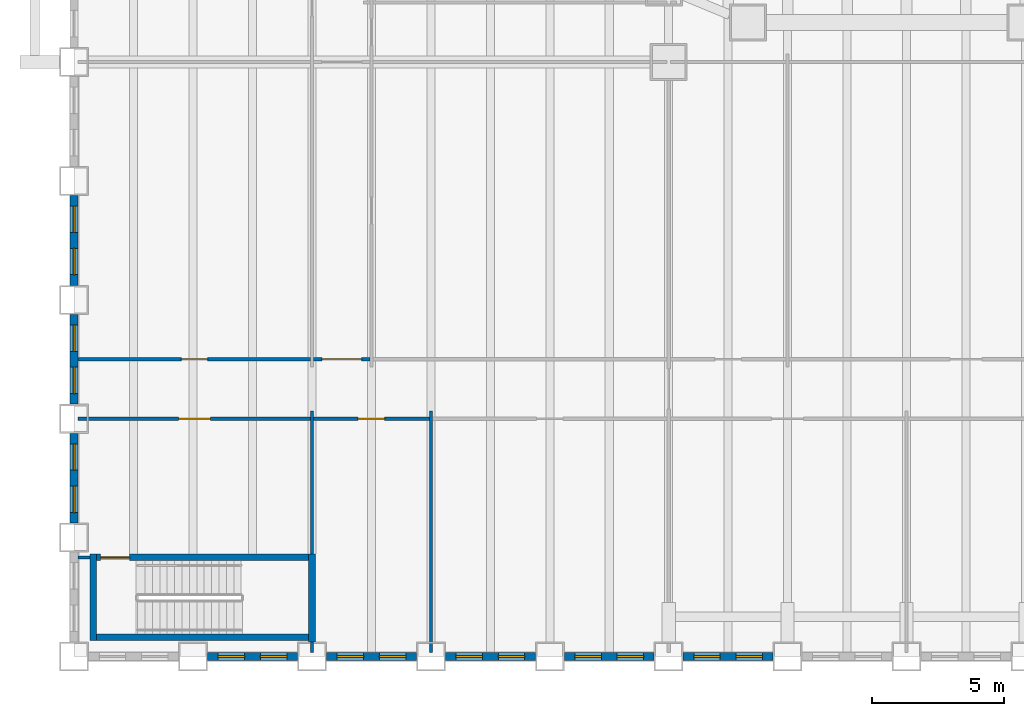
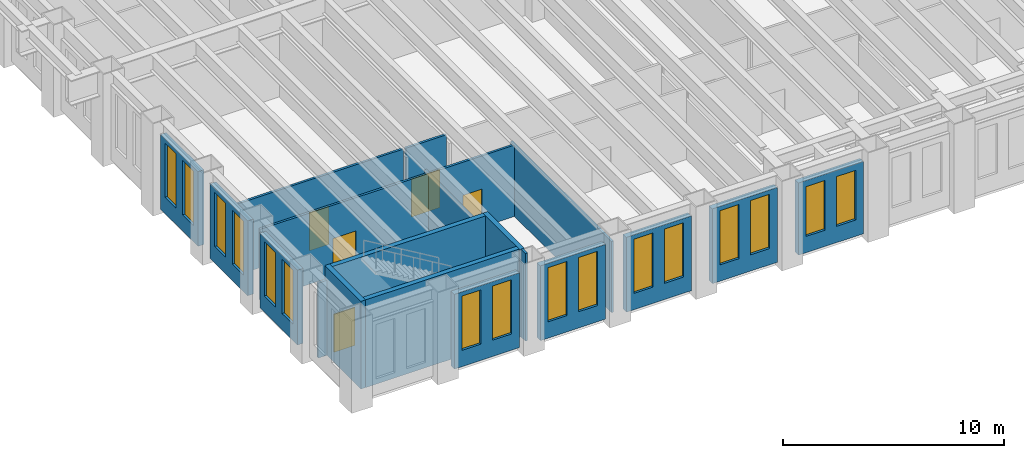
# One storey, part 10 of 21: 20 walls, 16 windows, 5 doors, 21 openings.
"""IFC4 building model written with IfcOpenShell, lengths in metres."""

from ifc_helpers import new_model, si_unit, direction, frame, frame_2d, origin, place, context, subcontext, project, spatial, rectangle, extrude, material, layer, layer_set, type_object, element, fill, save


model = new_model("IFC4")

# Units and contexts
model_context = context("Model", 3, precision=1e-05, world=origin(), true_north=direction((0.0, 1.0)))
body_context = subcontext(model_context, "Body", "Model", "MODEL_VIEW")
ifc_project = project(units=[si_unit("LENGTHUNIT", "METRE"), si_unit("AREAUNIT", "SQUARE_METRE"), si_unit("VOLUMEUNIT", "CUBIC_METRE"), si_unit("PLANEANGLEUNIT", "RADIAN"), si_unit("MASSUNIT", "GRAM", prefix="KILO")], contexts=[model_context])

# Site, building, storey
site_placement = place(None, origin())
site = spatial("IfcSite", under=ifc_project, at=site_placement, CompositionType="ELEMENT")
building_placement = place(site_placement, origin())
building = spatial("IfcBuilding", under=site, at=building_placement, Name="Sennacour Bend Tower", CompositionType="ELEMENT")
storey_placement = place(building_placement, frame((0.0, 0.0, 24.0)))
storey = spatial("IfcBuildingStorey", under=building, at=storey_placement, Name="L04", CompositionType="ELEMENT", Elevation=24.0)

# Walls
ifc_material_1 = material(Name="Plasterboard partition on steel studs", Category="steel")
ifc_layer_1 = layer(ifc_material_1, 0.1201171875, Name="Plasterboard partition on steel studs", Category="steel")
ifc_layer_set_1 = layer_set([ifc_layer_1], Name="Plasterboard partition on steel studs")
wall_type_1 = type_object("IfcWallType", Name="Partition 120", PredefinedType="PARTITIONING", material=ifc_layer_set_1)
wall_1_placement = place(storey_placement, frame((9.0, 0.14990234375, 0.0), z_axis=(0.0, 0.0, 1.0), x_axis=(0.0, 1.0, 0.0)))
element("IfcWall", 1, at=wall_1_placement, inside=storey, type_object=wall_type_1, Name="P-L04-W007a", PredefinedType="PARTITIONING", context=body_context, shape_type="SweptSolid", body=[
    extrude(rectangle(XDim=0.400146484375, YDim=0.1201171875, at=frame_2d((0.2001953125, 0.0))), origin(), (0.0, 0.0, 1.0), 4.85009765625),
])
wall_2_placement = place(storey_placement, frame((9.0, 3.875, 0.0), z_axis=(0.0, 0.0, 1.0), x_axis=(0.0, 1.0, 0.0)))
element("IfcWall", 2, at=wall_2_placement, inside=storey, type_object=wall_type_1, Name="P-L04-W009a", PredefinedType="PARTITIONING", context=body_context, shape_type="SweptSolid", body=[
    extrude(rectangle(XDim=5.425048828125, YDim=0.1201171875, at=frame_2d((2.71240234375, 0.0))), origin(), (0.0, 0.0, 1.0), 3.93798828125),
])
wall_3_placement = place(storey_placement, frame((13.5, 0.14990234375, 0.0), z_axis=(0.0, 0.0, 1.0), x_axis=(0.0, 1.0, 0.0)))
element("IfcWall", 3, at=wall_3_placement, inside=storey, type_object=wall_type_1, Name="P-L04-W014a", PredefinedType="PARTITIONING", context=body_context, shape_type="SweptSolid", body=[
    extrude(rectangle(XDim=9.150146484375, YDim=0.1201171875, at=frame_2d((4.5751953125, 0.0))), origin(), (0.0, 0.0, 1.0), 3.93798828125),
])
wall_4_placement = place(storey_placement, frame((0.14990234375, 3.75, 0.0), z_axis=(0.0, 0.0, 1.0), x_axis=(1.0, 0.0, 0.0)))
element("IfcWall", 4, at=wall_4_placement, inside=storey, type_object=wall_type_1, Name="P-L04-W049a", PredefinedType="PARTITIONING", context=body_context, shape_type="SweptSolid", body=[
    extrude(rectangle(XDim=0.4501953125, YDim=0.1201171875, at=frame_2d((0.22509765625, 0.0))), origin(), (0.0, 0.0, 1.0), 4.14404296875),
])

# Wall, opening, door
wall_5_placement = place(storey_placement, frame((9.06005859375, 9.0, 0.0), z_axis=(0.0, 0.0, 1.0), x_axis=(1.0, 0.0, 0.0)))
wall_5 = element("IfcWall", 5, at=wall_5_placement, inside=storey, type_object=wall_type_1, Name="P-L04-W055ab", PredefinedType="PARTITIONING", context=body_context, shape_type="SweptSolid", body=[
    extrude(rectangle(XDim=4.3798828125, YDim=0.1201171875, at=frame_2d((2.18994140625, 0.0))), origin(), (0.0, 0.0, 1.0), 3.93798828125),
])
opening_1_placement = place(wall_5_placement, frame((1.68994140625, 0.0, 0.0)))
opening_1 = element("IfcOpeningElement", 6, at=opening_1_placement, cuts=wall_5, Name="Opening OD2", PredefinedType="OPENING", context=body_context, shape_type="SweptSolid", body=[
    extrude(rectangle(XDim=1.0, YDim=2.10009765625, at=frame_2d((0.5, 1.050048828125))), frame((0.0, 0.070068359375, 0.0), z_axis=(0.0, -1.0, 0.0), x_axis=(1.0, 0.0, 0.0)), (0.0, 0.0, 1.0), 0.14013671875),
])
ifc_material_2 = material(Name="Timber", Category="wood")
door_type_1 = type_object("IfcDoorType", Name="DR-OFFICE-1000", OperationType="NOTDEFINED", PredefinedType="DOOR", material=ifc_material_2)
door_1_placement = place(opening_1_placement, origin())
door_1 = element("IfcDoor", 7, at=door_1_placement, inside=storey, type_object=door_type_1, Name="Door", OperationType="SINGLE_SWING_LEFT", OverallHeight=2.10009765625, OverallWidth=1.0, PredefinedType="DOOR", context=body_context, shape_type="SweptSolid", body=[
    extrude(rectangle(XDim=1.0, YDim=2.10009765625, at=frame_2d((0.5, 1.050048828125))), frame((0.0, 0.02490234375, 0.0), z_axis=(0.0, -1.0, 0.0), x_axis=(1.0, 0.0, 0.0)), (0.0, 0.0, 1.0), 0.050048828125),
])
fill(opening_1, door_1)

wall_6_placement = place(storey_placement, frame((0.14990234375, 11.25, 0.0), z_axis=(0.0, 0.0, 1.0), x_axis=(1.0, 0.0, 0.0)))
wall_6 = element("IfcWall", 8, at=wall_6_placement, inside=storey, type_object=wall_type_1, Name="P-L04-W057aa", PredefinedType="PARTITIONING", context=body_context, shape_type="SweptSolid", body=[
    extrude(rectangle(XDim=8.7900390625, YDim=0.1201171875, at=frame_2d((4.39501953125, 0.0))), origin(), (0.0, 0.0, 1.0), 3.93798828125),
])
opening_2_placement = place(wall_6_placement, frame((3.905029296875, 0.0, 0.0)))
opening_2 = element("IfcOpeningElement", 9, at=opening_2_placement, cuts=wall_6, Name="Opening OD2", PredefinedType="OPENING", context=body_context, shape_type="SweptSolid", body=[
    extrude(rectangle(XDim=1.0, YDim=2.10009765625, at=frame_2d((0.5, 1.050048828125))), frame((0.0, 0.070068359375, 0.0), z_axis=(0.0, -1.0, 0.0), x_axis=(1.0, 0.0, 0.0)), (0.0, 0.0, 1.0), 0.14013671875),
])
door_2_placement = place(opening_2_placement, origin())
door_2 = element("IfcDoor", 10, at=door_2_placement, inside=storey, type_object=door_type_1, Name="Door", OperationType="SINGLE_SWING_RIGHT", OverallHeight=2.10009765625, OverallWidth=1.0, PredefinedType="DOOR", context=body_context, shape_type="SweptSolid", body=[
    extrude(rectangle(XDim=1.0, YDim=2.10009765625, at=frame_2d((0.5, 1.050048828125))), frame((0.0, 0.02490234375, 0.0), z_axis=(0.0, -1.0, 0.0), x_axis=(1.0, 0.0, 0.0)), (0.0, 0.0, 1.0), 0.050048828125),
])
fill(opening_2, door_2)

ifc_layer_2 = layer(ifc_material_1, 0.1201171875, Name="Plasterboard partition on steel studs", Category="steel")
ifc_layer_set_2 = layer_set([ifc_layer_2], Name="Plasterboard partition on steel studs")
wall_type_2 = type_object("IfcWallType", Name="Partition 120 EI 30", PredefinedType="PARTITIONING", material=ifc_layer_set_2)
wall_7_placement = place(storey_placement, frame((0.14990234375, 9.0, 0.0), z_axis=(0.0, 0.0, 1.0), x_axis=(1.0, 0.0, 0.0)))
wall_7 = element("IfcWall", 11, at=wall_7_placement, inside=storey, type_object=wall_type_2, Name="P-L04-W055aa", PredefinedType="PARTITIONING", context=body_context, shape_type="SweptSolid", body=[
    extrude(rectangle(XDim=8.7900390625, YDim=0.1201171875, at=frame_2d((4.39501953125, 0.0))), origin(), (0.0, 0.0, 1.0), 3.93798828125),
])
opening_3_placement = place(wall_7_placement, frame((3.80517578125, 0.0, 0.0)))
opening_3 = element("IfcOpeningElement", 12, at=opening_3_placement, cuts=wall_7, Name="Opening KD2", PredefinedType="OPENING", context=body_context, shape_type="SweptSolid", body=[
    extrude(rectangle(XDim=1.199951171875, YDim=2.10009765625, at=frame_2d((0.60009765625, 1.050048828125))), frame((0.0, 0.070068359375, 0.0), z_axis=(0.0, -1.0, 0.0), x_axis=(1.0, 0.0, 0.0)), (0.0, 0.0, 1.0), 0.14013671875),
])
ifc_material_3 = material(Name="Painted steel", Category="steel")
door_type_2 = type_object("IfcDoorType", Name="DR-CORRIDOR-1200", OperationType="NOTDEFINED", PredefinedType="DOOR", material=ifc_material_3)
door_3_placement = place(opening_3_placement, origin())
door_3 = element("IfcDoor", 13, at=door_3_placement, inside=storey, type_object=door_type_2, Name="Door", OperationType="SINGLE_SWING_LEFT", OverallHeight=2.10009765625, OverallWidth=1.199951171875, PredefinedType="DOOR", context=body_context, shape_type="SweptSolid", body=[
    extrude(rectangle(XDim=1.199951171875, YDim=2.10009765625, at=frame_2d((0.60009765625, 1.050048828125))), frame((0.0, 0.02490234375, 0.0), z_axis=(0.0, -1.0, 0.0), x_axis=(1.0, 0.0, 0.0)), (0.0, 0.0, 1.0), 0.050048828125),
])
fill(opening_3, door_3)

wall_8_placement = place(storey_placement, frame((9.06005859375, 11.25, 0.0), z_axis=(0.0, 0.0, 1.0), x_axis=(1.0, 0.0, 0.0)))
wall_8 = element("IfcWall", 14, at=wall_8_placement, inside=storey, type_object=wall_type_2, Name="P-L04-W057ab", PredefinedType="PARTITIONING", context=body_context, shape_type="SweptSolid", body=[
    extrude(rectangle(XDim=2.1298828125, YDim=0.1201171875, at=frame_2d((1.06494140625, 0.0))), origin(), (0.0, 0.0, 1.0), 3.93798828125),
])
opening_4_placement = place(wall_8_placement, frame((0.31494140625, 0.0, 0.0)))
opening_4 = element("IfcOpeningElement", 15, at=opening_4_placement, cuts=wall_8, Name="Opening KD", PredefinedType="OPENING", context=body_context, shape_type="SweptSolid", body=[
    extrude(rectangle(XDim=1.5, YDim=2.10009765625, at=frame_2d((0.75, 1.050048828125))), frame((0.0, 0.070068359375, 0.0), z_axis=(0.0, -1.0, 0.0), x_axis=(1.0, 0.0, 0.0)), (0.0, 0.0, 1.0), 0.14013671875),
])
door_type_3 = type_object("IfcDoorType", Name="DR-CORRIDOR-1500", OperationType="NOTDEFINED", PredefinedType="DOOR", material=ifc_material_3)
door_4_placement = place(opening_4_placement, origin())
door_4 = element("IfcDoor", 16, at=door_4_placement, inside=storey, type_object=door_type_3, Name="Door", OperationType="SINGLE_SWING_LEFT", OverallHeight=2.10009765625, OverallWidth=1.5, PredefinedType="DOOR", context=body_context, shape_type="SweptSolid", body=[
    extrude(rectangle(XDim=1.5, YDim=2.10009765625, at=frame_2d((0.75, 1.050048828125))), frame((0.0, 0.02490234375, 0.0), z_axis=(0.0, -1.0, 0.0), x_axis=(1.0, 0.0, 0.0)), (0.0, 0.0, 1.0), 0.050048828125),
])
fill(opening_4, door_4)

# Wall, openings, windows
ifc_material_4 = material(Name="Warm limestone cladding", Category="masonry")
ifc_layer_3 = layer(ifc_material_4, 0.050048828125, Name="Warm limestone cladding", Category="masonry")
ifc_material_5 = material(Name="Precast concrete C40/50", Category="concrete")
ifc_layer_4 = layer(ifc_material_5, 0.25, Name="Precast concrete C40/50", Category="concrete")
ifc_layer_set_3 = layer_set([ifc_layer_3, ifc_layer_4], Name="Precast concrete C40/50 with limestone cladding")
wall_type_3 = type_object("IfcWallType", Name="STONE-CLAD PRECAST SPANDREL 300", PredefinedType="STANDARD", material=ifc_layer_set_3)
wall_9_placement = place(storey_placement, frame((0.0, 17.449951171875, 0.0), z_axis=(0.0, 0.0, 1.0), x_axis=(0.0, -1.0, 0.0)))
wall_9 = element("IfcWall", 17, at=wall_9_placement, inside=storey, type_object=wall_type_3, Name="Stone spandrel and pier wall L04 02.04", PredefinedType="STANDARD", context=body_context, shape_type="SweptSolid", body=[
    extrude(rectangle(XDim=3.39990234375, YDim=0.300048828125, at=frame_2d((1.699951171875, 0.0))), origin(), (0.0, 0.0, 1.0), 4.135986328125),
])
opening_5_placement = place(wall_9_placement, frame((0.39990234375, 0.0, 0.89990234375)))
opening_5 = element("IfcOpeningElement", 18, at=opening_5_placement, cuts=wall_9, Name="Opening W7", PredefinedType="OPENING", context=body_context, shape_type="SweptSolid", body=[
    extrude(rectangle(XDim=1.0, YDim=3.0, at=frame_2d((0.5, 1.5))), frame((0.0, 0.16015625, 0.0), z_axis=(0.0, -1.0, 0.0), x_axis=(1.0, 0.0, 0.0)), (0.0, 0.0, 1.0), 0.320068359375),
])
opening_6_placement = place(wall_9_placement, frame((2.0, 0.0, 0.89990234375)))
opening_6 = element("IfcOpeningElement", 19, at=opening_6_placement, cuts=wall_9, Name="Opening W7", PredefinedType="OPENING", context=body_context, shape_type="SweptSolid", body=[
    extrude(rectangle(XDim=1.0, YDim=3.0, at=frame_2d((0.5, 1.5))), frame((0.0, 0.16015625, 0.0), z_axis=(0.0, -1.0, 0.0), x_axis=(1.0, 0.0, 0.0)), (0.0, 0.0, 1.0), 0.320068359375),
])
ifc_material_6 = material(Name="Clear low-emissivity glass", Category="glass")
window_type_1 = type_object("IfcWindowType", Name="WIN-RIBBON-1000x3000", PartitioningType="SINGLE_PANEL", PredefinedType="WINDOW", material=ifc_material_6)
window_1_placement = place(opening_5_placement, origin())
window_1 = element("IfcWindow", 20, at=window_1_placement, inside=storey, type_object=window_type_1, Name="Ribbon window L04 02.04.0", OverallHeight=3.0, OverallWidth=1.0, PartitioningType="SINGLE_PANEL", PredefinedType="WINDOW", context=body_context, shape_type="SweptSolid", body=[
    extrude(rectangle(XDim=1.0, YDim=3.0, at=frame_2d((0.5, 1.5))), frame((0.0, 0.030029296875, 0.0), z_axis=(0.0, -1.0, 0.0), x_axis=(1.0, 0.0, 0.0)), (0.0, 0.0, 1.0), 0.06005859375),
])
fill(opening_5, window_1)
window_2_placement = place(opening_6_placement, origin())
window_2 = element("IfcWindow", 21, at=window_2_placement, inside=storey, type_object=window_type_1, Name="Ribbon window L04 02.04.1", OverallHeight=3.0, OverallWidth=1.0, PartitioningType="SINGLE_PANEL", PredefinedType="WINDOW", context=body_context, shape_type="SweptSolid", body=[
    extrude(rectangle(XDim=1.0, YDim=3.0, at=frame_2d((0.5, 1.5))), frame((0.0, 0.030029296875, 0.0), z_axis=(0.0, -1.0, 0.0), x_axis=(1.0, 0.0, 0.0)), (0.0, 0.0, 1.0), 0.06005859375),
])
fill(opening_6, window_2)

wall_10_placement = place(storey_placement, frame((0.0, 12.949951171875, 0.0), z_axis=(0.0, 0.0, 1.0), x_axis=(0.0, -1.0, 0.0)))
wall_10 = element("IfcWall", 22, at=wall_10_placement, inside=storey, type_object=wall_type_3, Name="Stone spandrel and pier wall L04 02.05", PredefinedType="STANDARD", context=body_context, shape_type="SweptSolid", body=[
    extrude(rectangle(XDim=3.39990234375, YDim=0.300048828125, at=frame_2d((1.699951171875, 0.0))), origin(), (0.0, 0.0, 1.0), 4.135986328125),
])
opening_7_placement = place(wall_10_placement, frame((0.39990234375, 0.0, 0.89990234375)))
opening_7 = element("IfcOpeningElement", 23, at=opening_7_placement, cuts=wall_10, Name="Opening W7", PredefinedType="OPENING", context=body_context, shape_type="SweptSolid", body=[
    extrude(rectangle(XDim=1.0, YDim=3.0, at=frame_2d((0.5, 1.5))), frame((0.0, 0.16015625, 0.0), z_axis=(0.0, -1.0, 0.0), x_axis=(1.0, 0.0, 0.0)), (0.0, 0.0, 1.0), 0.320068359375),
])
opening_8_placement = place(wall_10_placement, frame((2.0, 0.0, 0.89990234375)))
opening_8 = element("IfcOpeningElement", 24, at=opening_8_placement, cuts=wall_10, Name="Opening W7", PredefinedType="OPENING", context=body_context, shape_type="SweptSolid", body=[
    extrude(rectangle(XDim=1.0, YDim=3.0, at=frame_2d((0.5, 1.5))), frame((0.0, 0.16015625, 0.0), z_axis=(0.0, -1.0, 0.0), x_axis=(1.0, 0.0, 0.0)), (0.0, 0.0, 1.0), 0.320068359375),
])
window_3_placement = place(opening_7_placement, origin())
window_3 = element("IfcWindow", 25, at=window_3_placement, inside=storey, type_object=window_type_1, Name="Ribbon window L04 02.05.0", OverallHeight=3.0, OverallWidth=1.0, PartitioningType="SINGLE_PANEL", PredefinedType="WINDOW", context=body_context, shape_type="SweptSolid", body=[
    extrude(rectangle(XDim=1.0, YDim=3.0, at=frame_2d((0.5, 1.5))), frame((0.0, 0.030029296875, 0.0), z_axis=(0.0, -1.0, 0.0), x_axis=(1.0, 0.0, 0.0)), (0.0, 0.0, 1.0), 0.06005859375),
])
fill(opening_7, window_3)
window_4_placement = place(opening_8_placement, origin())
window_4 = element("IfcWindow", 26, at=window_4_placement, inside=storey, type_object=window_type_1, Name="Ribbon window L04 02.05.1", OverallHeight=3.0, OverallWidth=1.0, PartitioningType="SINGLE_PANEL", PredefinedType="WINDOW", context=body_context, shape_type="SweptSolid", body=[
    extrude(rectangle(XDim=1.0, YDim=3.0, at=frame_2d((0.5, 1.5))), frame((0.0, 0.030029296875, 0.0), z_axis=(0.0, -1.0, 0.0), x_axis=(1.0, 0.0, 0.0)), (0.0, 0.0, 1.0), 0.06005859375),
])
fill(opening_8, window_4)

wall_11_placement = place(storey_placement, frame((0.0, 8.449951171875, 0.0), z_axis=(0.0, 0.0, 1.0), x_axis=(0.0, -1.0, 0.0)))
wall_11 = element("IfcWall", 27, at=wall_11_placement, inside=storey, type_object=wall_type_3, Name="Stone spandrel and pier wall L04 02.06", PredefinedType="STANDARD", context=body_context, shape_type="SweptSolid", body=[
    extrude(rectangle(XDim=3.39990234375, YDim=0.300048828125, at=frame_2d((1.699951171875, 0.0))), origin(), (0.0, 0.0, 1.0), 4.135986328125),
])
opening_9_placement = place(wall_11_placement, frame((0.39990234375, 0.0, 0.89990234375)))
opening_9 = element("IfcOpeningElement", 28, at=opening_9_placement, cuts=wall_11, Name="Opening W7", PredefinedType="OPENING", context=body_context, shape_type="SweptSolid", body=[
    extrude(rectangle(XDim=1.0, YDim=3.0, at=frame_2d((0.5, 1.5))), frame((0.0, 0.16015625, 0.0), z_axis=(0.0, -1.0, 0.0), x_axis=(1.0, 0.0, 0.0)), (0.0, 0.0, 1.0), 0.320068359375),
])
opening_10_placement = place(wall_11_placement, frame((2.0, 0.0, 0.89990234375)))
opening_10 = element("IfcOpeningElement", 29, at=opening_10_placement, cuts=wall_11, Name="Opening W7", PredefinedType="OPENING", context=body_context, shape_type="SweptSolid", body=[
    extrude(rectangle(XDim=1.0, YDim=3.0, at=frame_2d((0.5, 1.5))), frame((0.0, 0.16015625, 0.0), z_axis=(0.0, -1.0, 0.0), x_axis=(1.0, 0.0, 0.0)), (0.0, 0.0, 1.0), 0.320068359375),
])
window_5_placement = place(opening_9_placement, origin())
window_5 = element("IfcWindow", 30, at=window_5_placement, inside=storey, type_object=window_type_1, Name="Ribbon window L04 02.06.0", OverallHeight=3.0, OverallWidth=1.0, PartitioningType="SINGLE_PANEL", PredefinedType="WINDOW", context=body_context, shape_type="SweptSolid", body=[
    extrude(rectangle(XDim=1.0, YDim=3.0, at=frame_2d((0.5, 1.5))), frame((0.0, 0.030029296875, 0.0), z_axis=(0.0, -1.0, 0.0), x_axis=(1.0, 0.0, 0.0)), (0.0, 0.0, 1.0), 0.06005859375),
])
fill(opening_9, window_5)
window_6_placement = place(opening_10_placement, origin())
window_6 = element("IfcWindow", 31, at=window_6_placement, inside=storey, type_object=window_type_1, Name="Ribbon window L04 02.06.1", OverallHeight=3.0, OverallWidth=1.0, PartitioningType="SINGLE_PANEL", PredefinedType="WINDOW", context=body_context, shape_type="SweptSolid", body=[
    extrude(rectangle(XDim=1.0, YDim=3.0, at=frame_2d((0.5, 1.5))), frame((0.0, 0.030029296875, 0.0), z_axis=(0.0, -1.0, 0.0), x_axis=(1.0, 0.0, 0.0)), (0.0, 0.0, 1.0), 0.06005859375),
])
fill(opening_10, window_6)

wall_12_placement = place(storey_placement, frame((5.050048828125, 0.0, 0.0), z_axis=(0.0, 0.0, 1.0), x_axis=(1.0, 0.0, 0.0)))
wall_12 = element("IfcWall", 32, at=wall_12_placement, inside=storey, type_object=wall_type_3, Name="Stone spandrel and pier wall L04 03.01", PredefinedType="STANDARD", context=body_context, shape_type="SweptSolid", body=[
    extrude(rectangle(XDim=3.39990234375, YDim=0.300048828125, at=frame_2d((1.699951171875, 0.0))), origin(), (0.0, 0.0, 1.0), 4.135986328125),
])
opening_11_placement = place(wall_12_placement, frame((0.39990234375, 0.0, 0.89990234375)))
opening_11 = element("IfcOpeningElement", 33, at=opening_11_placement, cuts=wall_12, Name="Opening W7", PredefinedType="OPENING", context=body_context, shape_type="SweptSolid", body=[
    extrude(rectangle(XDim=1.0, YDim=3.0, at=frame_2d((0.5, 1.5))), frame((0.0, 0.16015625, 0.0), z_axis=(0.0, -1.0, 0.0), x_axis=(1.0, 0.0, 0.0)), (0.0, 0.0, 1.0), 0.320068359375),
])
opening_12_placement = place(wall_12_placement, frame((2.0, 0.0, 0.89990234375)))
opening_12 = element("IfcOpeningElement", 34, at=opening_12_placement, cuts=wall_12, Name="Opening W7", PredefinedType="OPENING", context=body_context, shape_type="SweptSolid", body=[
    extrude(rectangle(XDim=1.0, YDim=3.0, at=frame_2d((0.5, 1.5))), frame((0.0, 0.16015625, 0.0), z_axis=(0.0, -1.0, 0.0), x_axis=(1.0, 0.0, 0.0)), (0.0, 0.0, 1.0), 0.320068359375),
])
window_7_placement = place(opening_11_placement, origin())
window_7 = element("IfcWindow", 35, at=window_7_placement, inside=storey, type_object=window_type_1, Name="Ribbon window L04 03.01.0", OverallHeight=3.0, OverallWidth=1.0, PartitioningType="SINGLE_PANEL", PredefinedType="WINDOW", context=body_context, shape_type="SweptSolid", body=[
    extrude(rectangle(XDim=1.0, YDim=3.0, at=frame_2d((0.5, 1.5))), frame((0.0, 0.030029296875, 0.0), z_axis=(0.0, -1.0, 0.0), x_axis=(1.0, 0.0, 0.0)), (0.0, 0.0, 1.0), 0.06005859375),
])
fill(opening_11, window_7)
window_8_placement = place(opening_12_placement, origin())
window_8 = element("IfcWindow", 36, at=window_8_placement, inside=storey, type_object=window_type_1, Name="Ribbon window L04 03.01.1", OverallHeight=3.0, OverallWidth=1.0, PartitioningType="SINGLE_PANEL", PredefinedType="WINDOW", context=body_context, shape_type="SweptSolid", body=[
    extrude(rectangle(XDim=1.0, YDim=3.0, at=frame_2d((0.5, 1.5))), frame((0.0, 0.030029296875, 0.0), z_axis=(0.0, -1.0, 0.0), x_axis=(1.0, 0.0, 0.0)), (0.0, 0.0, 1.0), 0.06005859375),
])
fill(opening_12, window_8)

wall_13_placement = place(storey_placement, frame((9.550048828125, 0.0, 0.0), z_axis=(0.0, 0.0, 1.0), x_axis=(1.0, 0.0, 0.0)))
wall_13 = element("IfcWall", 37, at=wall_13_placement, inside=storey, type_object=wall_type_3, Name="Stone spandrel and pier wall L04 03.02", PredefinedType="STANDARD", context=body_context, shape_type="SweptSolid", body=[
    extrude(rectangle(XDim=3.39990234375, YDim=0.300048828125, at=frame_2d((1.699951171875, 0.0))), origin(), (0.0, 0.0, 1.0), 4.135986328125),
])
opening_13_placement = place(wall_13_placement, frame((0.39990234375, 0.0, 0.89990234375)))
opening_13 = element("IfcOpeningElement", 38, at=opening_13_placement, cuts=wall_13, Name="Opening W7", PredefinedType="OPENING", context=body_context, shape_type="SweptSolid", body=[
    extrude(rectangle(XDim=1.0, YDim=3.0, at=frame_2d((0.5, 1.5))), frame((0.0, 0.16015625, 0.0), z_axis=(0.0, -1.0, 0.0), x_axis=(1.0, 0.0, 0.0)), (0.0, 0.0, 1.0), 0.320068359375),
])
opening_14_placement = place(wall_13_placement, frame((2.0, 0.0, 0.89990234375)))
opening_14 = element("IfcOpeningElement", 39, at=opening_14_placement, cuts=wall_13, Name="Opening W7", PredefinedType="OPENING", context=body_context, shape_type="SweptSolid", body=[
    extrude(rectangle(XDim=1.0, YDim=3.0, at=frame_2d((0.5, 1.5))), frame((0.0, 0.16015625, 0.0), z_axis=(0.0, -1.0, 0.0), x_axis=(1.0, 0.0, 0.0)), (0.0, 0.0, 1.0), 0.320068359375),
])
window_9_placement = place(opening_13_placement, origin())
window_9 = element("IfcWindow", 40, at=window_9_placement, inside=storey, type_object=window_type_1, Name="Ribbon window L04 03.02.0", OverallHeight=3.0, OverallWidth=1.0, PartitioningType="SINGLE_PANEL", PredefinedType="WINDOW", context=body_context, shape_type="SweptSolid", body=[
    extrude(rectangle(XDim=1.0, YDim=3.0, at=frame_2d((0.5, 1.5))), frame((0.0, 0.030029296875, 0.0), z_axis=(0.0, -1.0, 0.0), x_axis=(1.0, 0.0, 0.0)), (0.0, 0.0, 1.0), 0.06005859375),
])
fill(opening_13, window_9)
window_10_placement = place(opening_14_placement, origin())
window_10 = element("IfcWindow", 41, at=window_10_placement, inside=storey, type_object=window_type_1, Name="Ribbon window L04 03.02.1", OverallHeight=3.0, OverallWidth=1.0, PartitioningType="SINGLE_PANEL", PredefinedType="WINDOW", context=body_context, shape_type="SweptSolid", body=[
    extrude(rectangle(XDim=1.0, YDim=3.0, at=frame_2d((0.5, 1.5))), frame((0.0, 0.030029296875, 0.0), z_axis=(0.0, -1.0, 0.0), x_axis=(1.0, 0.0, 0.0)), (0.0, 0.0, 1.0), 0.06005859375),
])
fill(opening_14, window_10)

wall_14_placement = place(storey_placement, frame((14.050048828125, 0.0, 0.0), z_axis=(0.0, 0.0, 1.0), x_axis=(1.0, 0.0, 0.0)))
wall_14 = element("IfcWall", 42, at=wall_14_placement, inside=storey, type_object=wall_type_3, Name="Stone spandrel and pier wall L04 03.03", PredefinedType="STANDARD", context=body_context, shape_type="SweptSolid", body=[
    extrude(rectangle(XDim=3.39990234375, YDim=0.300048828125, at=frame_2d((1.699951171875, 0.0))), origin(), (0.0, 0.0, 1.0), 4.135986328125),
])
opening_15_placement = place(wall_14_placement, frame((0.39990234375, 0.0, 0.89990234375)))
opening_15 = element("IfcOpeningElement", 43, at=opening_15_placement, cuts=wall_14, Name="Opening W7", PredefinedType="OPENING", context=body_context, shape_type="SweptSolid", body=[
    extrude(rectangle(XDim=1.0, YDim=3.0, at=frame_2d((0.5, 1.5))), frame((0.0, 0.16015625, 0.0), z_axis=(0.0, -1.0, 0.0), x_axis=(1.0, 0.0, 0.0)), (0.0, 0.0, 1.0), 0.320068359375),
])
opening_16_placement = place(wall_14_placement, frame((2.0, 0.0, 0.89990234375)))
opening_16 = element("IfcOpeningElement", 44, at=opening_16_placement, cuts=wall_14, Name="Opening W7", PredefinedType="OPENING", context=body_context, shape_type="SweptSolid", body=[
    extrude(rectangle(XDim=1.0, YDim=3.0, at=frame_2d((0.5, 1.5))), frame((0.0, 0.16015625, 0.0), z_axis=(0.0, -1.0, 0.0), x_axis=(1.0, 0.0, 0.0)), (0.0, 0.0, 1.0), 0.320068359375),
])
window_11_placement = place(opening_15_placement, origin())
window_11 = element("IfcWindow", 45, at=window_11_placement, inside=storey, type_object=window_type_1, Name="Ribbon window L04 03.03.0", OverallHeight=3.0, OverallWidth=1.0, PartitioningType="SINGLE_PANEL", PredefinedType="WINDOW", context=body_context, shape_type="SweptSolid", body=[
    extrude(rectangle(XDim=1.0, YDim=3.0, at=frame_2d((0.5, 1.5))), frame((0.0, 0.030029296875, 0.0), z_axis=(0.0, -1.0, 0.0), x_axis=(1.0, 0.0, 0.0)), (0.0, 0.0, 1.0), 0.06005859375),
])
fill(opening_15, window_11)
window_12_placement = place(opening_16_placement, origin())
window_12 = element("IfcWindow", 46, at=window_12_placement, inside=storey, type_object=window_type_1, Name="Ribbon window L04 03.03.1", OverallHeight=3.0, OverallWidth=1.0, PartitioningType="SINGLE_PANEL", PredefinedType="WINDOW", context=body_context, shape_type="SweptSolid", body=[
    extrude(rectangle(XDim=1.0, YDim=3.0, at=frame_2d((0.5, 1.5))), frame((0.0, 0.030029296875, 0.0), z_axis=(0.0, -1.0, 0.0), x_axis=(1.0, 0.0, 0.0)), (0.0, 0.0, 1.0), 0.06005859375),
])
fill(opening_16, window_12)

wall_15_placement = place(storey_placement, frame((18.550048828125, 0.0, 0.0), z_axis=(0.0, 0.0, 1.0), x_axis=(1.0, 0.0, 0.0)))
wall_15 = element("IfcWall", 47, at=wall_15_placement, inside=storey, type_object=wall_type_3, Name="Stone spandrel and pier wall L04 03.04", PredefinedType="STANDARD", context=body_context, shape_type="SweptSolid", body=[
    extrude(rectangle(XDim=3.39990234375, YDim=0.300048828125, at=frame_2d((1.699951171875, 0.0))), origin(), (0.0, 0.0, 1.0), 4.135986328125),
])
opening_17_placement = place(wall_15_placement, frame((0.39990234375, 0.0, 0.89990234375)))
opening_17 = element("IfcOpeningElement", 48, at=opening_17_placement, cuts=wall_15, Name="Opening W7", PredefinedType="OPENING", context=body_context, shape_type="SweptSolid", body=[
    extrude(rectangle(XDim=1.0, YDim=3.0, at=frame_2d((0.5, 1.5))), frame((0.0, 0.16015625, 0.0), z_axis=(0.0, -1.0, 0.0), x_axis=(1.0, 0.0, 0.0)), (0.0, 0.0, 1.0), 0.320068359375),
])
opening_18_placement = place(wall_15_placement, frame((2.0, 0.0, 0.89990234375)))
opening_18 = element("IfcOpeningElement", 49, at=opening_18_placement, cuts=wall_15, Name="Opening W7", PredefinedType="OPENING", context=body_context, shape_type="SweptSolid", body=[
    extrude(rectangle(XDim=1.0, YDim=3.0, at=frame_2d((0.5, 1.5))), frame((0.0, 0.16015625, 0.0), z_axis=(0.0, -1.0, 0.0), x_axis=(1.0, 0.0, 0.0)), (0.0, 0.0, 1.0), 0.320068359375),
])
window_13_placement = place(opening_17_placement, origin())
window_13 = element("IfcWindow", 50, at=window_13_placement, inside=storey, type_object=window_type_1, Name="Ribbon window L04 03.04.0", OverallHeight=3.0, OverallWidth=1.0, PartitioningType="SINGLE_PANEL", PredefinedType="WINDOW", context=body_context, shape_type="SweptSolid", body=[
    extrude(rectangle(XDim=1.0, YDim=3.0, at=frame_2d((0.5, 1.5))), frame((0.0, 0.030029296875, 0.0), z_axis=(0.0, -1.0, 0.0), x_axis=(1.0, 0.0, 0.0)), (0.0, 0.0, 1.0), 0.06005859375),
])
fill(opening_17, window_13)
window_14_placement = place(opening_18_placement, origin())
window_14 = element("IfcWindow", 51, at=window_14_placement, inside=storey, type_object=window_type_1, Name="Ribbon window L04 03.04.1", OverallHeight=3.0, OverallWidth=1.0, PartitioningType="SINGLE_PANEL", PredefinedType="WINDOW", context=body_context, shape_type="SweptSolid", body=[
    extrude(rectangle(XDim=1.0, YDim=3.0, at=frame_2d((0.5, 1.5))), frame((0.0, 0.030029296875, 0.0), z_axis=(0.0, -1.0, 0.0), x_axis=(1.0, 0.0, 0.0)), (0.0, 0.0, 1.0), 0.06005859375),
])
fill(opening_18, window_14)

wall_16_placement = place(storey_placement, frame((23.050048828125, 0.0, 0.0), z_axis=(0.0, 0.0, 1.0), x_axis=(1.0, 0.0, 0.0)))
wall_16 = element("IfcWall", 52, at=wall_16_placement, inside=storey, type_object=wall_type_3, Name="Stone spandrel and pier wall L04 03.05", PredefinedType="STANDARD", context=body_context, shape_type="SweptSolid", body=[
    extrude(rectangle(XDim=3.39990234375, YDim=0.300048828125, at=frame_2d((1.699951171875, 0.0))), origin(), (0.0, 0.0, 1.0), 3.993896484375),
])
opening_19_placement = place(wall_16_placement, frame((0.39990234375, 0.0, 0.89990234375)))
opening_19 = element("IfcOpeningElement", 53, at=opening_19_placement, cuts=wall_16, Name="Opening W3", PredefinedType="OPENING", context=body_context, shape_type="SweptSolid", body=[
    extrude(rectangle(XDim=1.0, YDim=2.75, at=frame_2d((0.5, 1.375))), frame((0.0, 0.16015625, 0.0), z_axis=(0.0, -1.0, 0.0), x_axis=(1.0, 0.0, 0.0)), (0.0, 0.0, 1.0), 0.320068359375),
])
opening_20_placement = place(wall_16_placement, frame((2.0, 0.0, 0.89990234375)))
opening_20 = element("IfcOpeningElement", 54, at=opening_20_placement, cuts=wall_16, Name="Opening W3", PredefinedType="OPENING", context=body_context, shape_type="SweptSolid", body=[
    extrude(rectangle(XDim=1.0, YDim=2.75, at=frame_2d((0.5, 1.375))), frame((0.0, 0.16015625, 0.0), z_axis=(0.0, -1.0, 0.0), x_axis=(1.0, 0.0, 0.0)), (0.0, 0.0, 1.0), 0.320068359375),
])
window_type_2 = type_object("IfcWindowType", Name="WIN-RIBBON-1000x2750", PartitioningType="SINGLE_PANEL", PredefinedType="WINDOW", material=ifc_material_6)
window_15_placement = place(opening_19_placement, origin())
window_15 = element("IfcWindow", 55, at=window_15_placement, inside=storey, type_object=window_type_2, Name="Ribbon window L04 03.05.0", OverallHeight=2.75, OverallWidth=1.0, PartitioningType="SINGLE_PANEL", PredefinedType="WINDOW", context=body_context, shape_type="SweptSolid", body=[
    extrude(rectangle(XDim=1.0, YDim=2.75, at=frame_2d((0.5, 1.375))), frame((0.0, 0.030029296875, 0.0), z_axis=(0.0, -1.0, 0.0), x_axis=(1.0, 0.0, 0.0)), (0.0, 0.0, 1.0), 0.06005859375),
])
fill(opening_19, window_15)
window_16_placement = place(opening_20_placement, origin())
window_16 = element("IfcWindow", 56, at=window_16_placement, inside=storey, type_object=window_type_2, Name="Ribbon window L04 03.05.1", OverallHeight=2.75, OverallWidth=1.0, PartitioningType="SINGLE_PANEL", PredefinedType="WINDOW", context=body_context, shape_type="SweptSolid", body=[
    extrude(rectangle(XDim=1.0, YDim=2.75, at=frame_2d((0.5, 1.375))), frame((0.0, 0.030029296875, 0.0), z_axis=(0.0, -1.0, 0.0), x_axis=(1.0, 0.0, 0.0)), (0.0, 0.0, 1.0), 0.06005859375),
])
fill(opening_20, window_16)

# Walls
ifc_material_7 = material(Name="Concrete C60/75", Category="concrete")
ifc_layer_5 = layer(ifc_material_7, 0.25, Name="Concrete C60/75", Category="concrete")
ifc_layer_set_4 = layer_set([ifc_layer_5], Name="Concrete C60/75")
wall_type_4 = type_object("IfcWallType", Name="Stair wall 250", PredefinedType="SHEAR", material=ifc_layer_set_4)
wall_17_placement = place(storey_placement, frame((0.72509765625, 0.60009765625, 0.0), z_axis=(0.0, 0.0, 1.0), x_axis=(0.0, 1.0, 0.0)))
element("IfcWall", 57, at=wall_17_placement, inside=storey, type_object=wall_type_4, Name="P-L04-W002", PredefinedType="SHEAR", context=body_context, shape_type="SweptSolid", body=[
    extrude(rectangle(XDim=3.27490234375, YDim=0.25, at=frame_2d((1.637451171875, 0.0))), origin(), (0.0, 0.0, 1.0), 4.85009765625),
])
wall_18_placement = place(storey_placement, frame((9.0, 0.550048828125, 0.0), z_axis=(0.0, 0.0, 1.0), x_axis=(0.0, 1.0, 0.0)))
element("IfcWall", 58, at=wall_18_placement, inside=storey, type_object=wall_type_4, Name="P-L04-W008", PredefinedType="SHEAR", context=body_context, shape_type="SweptSolid", body=[
    extrude(rectangle(XDim=3.324951171875, YDim=0.25, at=frame_2d((1.66259765625, 0.0))), origin(), (0.0, 0.0, 1.0), 4.85009765625),
])
wall_19_placement = place(storey_placement, frame((0.85009765625, 0.72509765625, 0.0), z_axis=(0.0, 0.0, 1.0), x_axis=(1.0, 0.0, 0.0)))
element("IfcWall", 59, at=wall_19_placement, inside=storey, type_object=wall_type_4, Name="P-L04-W046", PredefinedType="SHEAR", context=body_context, shape_type="SweptSolid", body=[
    extrude(rectangle(XDim=8.02490234375, YDim=0.25, at=frame_2d((4.012451171875, 0.0))), origin(), (0.0, 0.0, 1.0), 4.85009765625),
])

# Wall, opening, door
wall_20_placement = place(storey_placement, frame((0.85009765625, 3.75, 0.0), z_axis=(0.0, 0.0, 1.0), x_axis=(1.0, 0.0, 0.0)))
wall_20 = element("IfcWall", 60, at=wall_20_placement, inside=storey, type_object=wall_type_4, Name="P-L04-W050", PredefinedType="SHEAR", context=body_context, shape_type="SweptSolid", body=[
    extrude(rectangle(XDim=8.02490234375, YDim=0.25, at=frame_2d((4.012451171875, 0.0))), origin(), (0.0, 0.0, 1.0), 4.85009765625),
])
opening_21_placement = place(wall_20_placement, frame((0.14990234375, 0.0, 0.0)))
opening_21 = element("IfcOpeningElement", 61, at=opening_21_placement, cuts=wall_20, Name="Opening SD", PredefinedType="OPENING", context=body_context, shape_type="SweptSolid", body=[
    extrude(rectangle(XDim=1.10009765625, YDim=2.10009765625, at=frame_2d((0.550048828125, 1.050048828125))), frame((0.0, 0.135009765625, 0.0), z_axis=(0.0, -1.0, 0.0), x_axis=(1.0, 0.0, 0.0)), (0.0, 0.0, 1.0), 0.27001953125),
])
door_type_4 = type_object("IfcDoorType", Name="DR-STAIR-1100", OperationType="NOTDEFINED", PredefinedType="DOOR", material=ifc_material_3)
door_5_placement = place(opening_21_placement, origin())
door_5 = element("IfcDoor", 62, at=door_5_placement, inside=storey, type_object=door_type_4, Name="Door", OperationType="SINGLE_SWING_LEFT", OverallHeight=2.10009765625, OverallWidth=1.10009765625, PredefinedType="DOOR", context=body_context, shape_type="SweptSolid", body=[
    extrude(rectangle(XDim=1.10009765625, YDim=2.10009765625, at=frame_2d((0.550048828125, 1.050048828125))), frame((0.0, 0.02490234375, 0.0), z_axis=(0.0, -1.0, 0.0), x_axis=(1.0, 0.0, 0.0)), (0.0, 0.0, 1.0), 0.050048828125),
])
fill(opening_21, door_5)

save(model, "model.ifc")
